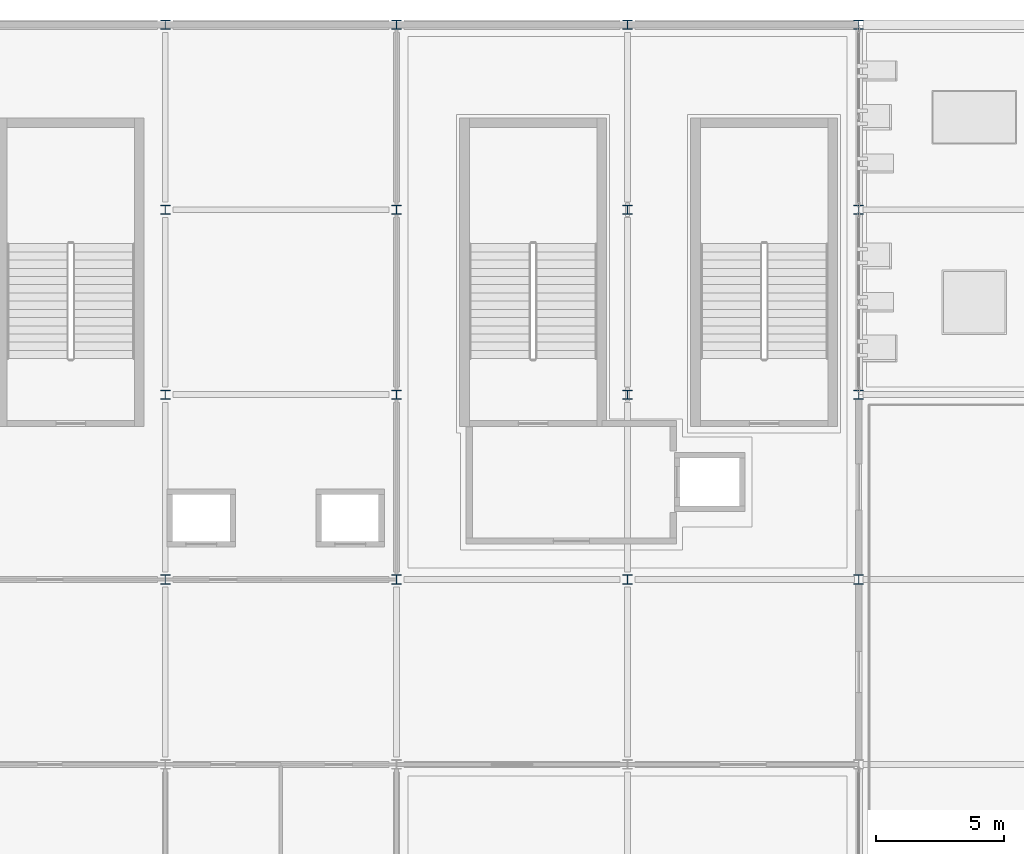
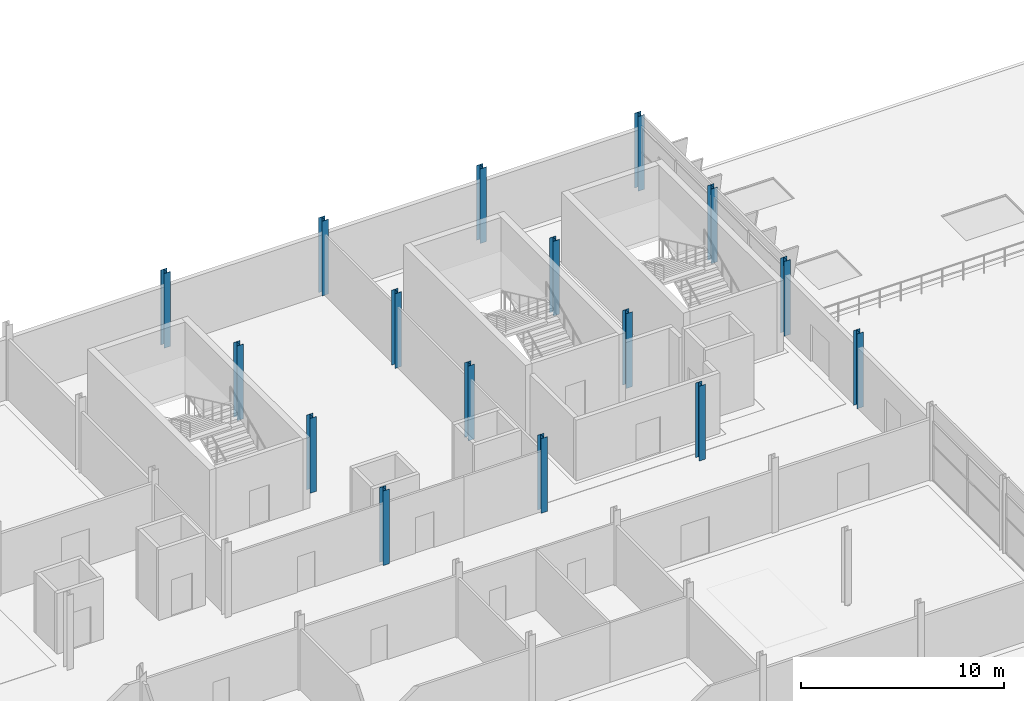
# One storey, part 6 of 78: 16 columns.
"""IFC4 building model written with IfcOpenShell, lengths in metres."""

from ifc_helpers import new_model, si_unit, direction, frame, origin, origin_2d, place, context, subcontext, project, spatial, i_section, extrude, material, material_profile, profile_set, type_object, element, save


model = new_model("IFC4")

# Units and contexts
model_context = context("Model", 3, precision=1e-05, world=origin(), true_north=direction((0.0, 1.0)))
body_context = subcontext(model_context, "Body", "Model", "MODEL_VIEW")
ifc_project = project(units=[si_unit("LENGTHUNIT", "METRE"), si_unit("AREAUNIT", "SQUARE_METRE"), si_unit("VOLUMEUNIT", "CUBIC_METRE"), si_unit("PLANEANGLEUNIT", "RADIAN"), si_unit("MASSUNIT", "GRAM", prefix="KILO")], contexts=[model_context])

# Site, building, storey
site_placement = place(None, origin())
site = spatial("IfcSite", under=ifc_project, at=site_placement, CompositionType="ELEMENT")
building_placement = place(site_placement, origin())
building = spatial("IfcBuilding", under=site, at=building_placement, Name="Celestram Park Convention Centre", CompositionType="ELEMENT")
storey_placement = place(building_placement, frame((0.0, 0.0, 19.800048828125)))
storey = spatial("IfcBuildingStorey", under=building, at=storey_placement, Name="L04", CompositionType="ELEMENT", Elevation=19.800048828125)

# Columns
ifc_material = material(Name="Steel ASTM A992 Grade 50", Category="steel")
ifc_material_profile = material_profile(ifc_material, i_section(OverallWidth=0.367919921875, OverallDepth=0.35595703125, WebThickness=0.01123046875, FlangeThickness=0.01806640625, at=origin_2d()), Name="W14X90")
ifc_profile_set = profile_set([ifc_material_profile], Name="Steel ASTM A992 Grade 50")
column_type = type_object("IfcColumnType", Name="STR-COL-W14X90", PredefinedType="COLUMN", material=ifc_profile_set)
for number, where, z_axis, x_axis, name in (
    (1, (72.0, 144.0, 0.0), (0.0, 0.0, 1.0), (1.0, 0.0, 0.0), "Column CN-L04-039"),
    (2, (72.0, 151.199951171875, 0.0), (0.0, 0.0, 1.0), (1.0, 0.0, 0.0), "Column CN-L04-040"),
    (3, (72.0, 158.39990234375, 0.0), (0.0, 0.0, 1.0), (1.0, 0.0, 0.0), "Column CN-L04-041"),
    (4, (72.0, 165.60009765625, 0.0), (0.0, 0.0, 1.0), (1.0, 0.0, 0.0), "Column CN-L04-042"),
    (5, (81.0, 144.0, 0.0), (0.0, 0.0, 1.0), (1.0, 0.0, 0.0), "Column CN-L04-048"),
    (6, (81.0, 151.199951171875, 0.0), (0.0, 0.0, 1.0), (1.0, 0.0, 0.0), "Column CN-L04-049"),
    (7, (81.0, 158.39990234375, 0.0), (0.0, 0.0, 1.0), (1.0, 0.0, 0.0), "Column CN-L04-050"),
    (8, (81.0, 165.60009765625, 0.0), (0.0, 0.0, 1.0), (1.0, 0.0, 0.0), "Column CN-L04-051"),
    (9, (90.0, 144.0, 0.0), (0.0, 0.0, 1.0), (1.0, 0.0, 0.0), "Column CN-L04-057"),
    (10, (90.0, 151.199951171875, 0.0), (0.0, 0.0, 1.0), (1.0, 0.0, 0.0), "Column CN-L04-058"),
    (11, (90.0, 158.39990234375, 0.0), (0.0, 0.0, 1.0), (1.0, 0.0, 0.0), "Column CN-L04-059"),
    (12, (90.0, 165.60009765625, 0.0), (0.0, 0.0, 1.0), (1.0, 0.0, 0.0), "Column CN-L04-060"),
    (13, (99.0, 144.0, 0.0), (0.0, 0.0, 1.0), (1.0, 0.0, 0.0), "Column CN-L04-066"),
    (14, (99.0, 151.199951171875, 0.0), (0.0, 0.0, 1.0), (1.0, 0.0, 0.0), "Column CN-L04-067"),
    (15, (99.0, 158.39990234375, 0.0), (0.0, 0.0, 1.0), (1.0, 0.0, 0.0), "Column CN-L04-068"),
    (16, (99.0, 165.60009765625, 0.0), (0.0, 0.0, 1.0), (1.0, 0.0, 0.0), "Column CN-L04-069"),
):
    element("IfcColumn", number, at=place(storey_placement, frame(where, z_axis=z_axis, x_axis=x_axis)), inside=storey, type_object=column_type, Name=name, PredefinedType="COLUMN", context=body_context, shape_type="SweptSolid", body=[
        extrude(i_section(OverallWidth=0.367919921875, OverallDepth=0.35595703125, WebThickness=0.01123046875, FlangeThickness=0.01806640625, at=origin_2d()), origin(), (0.0, 0.0, 1.0), 4.5),
    ])

save(model, "model.ifc")
